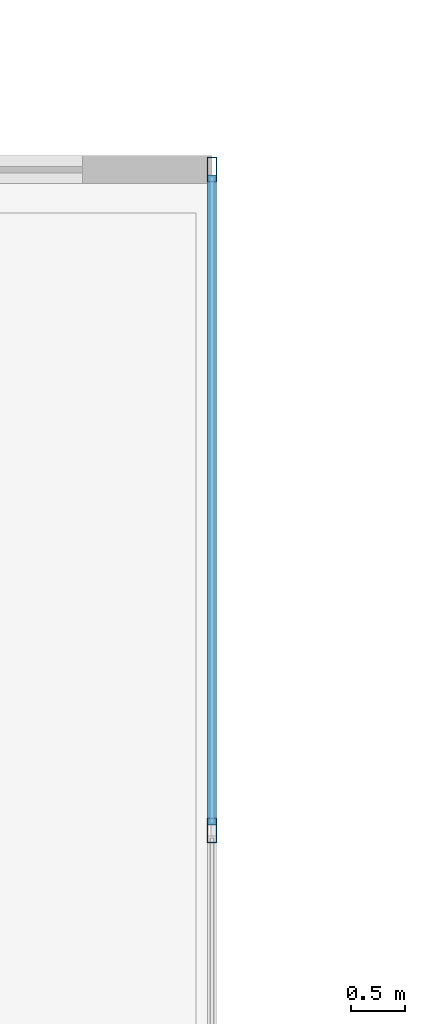
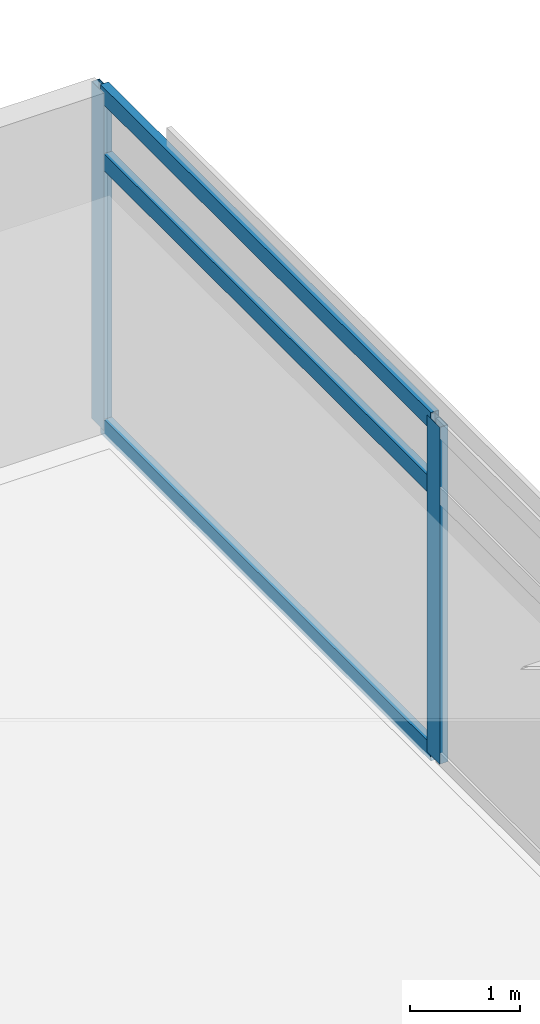
# One storey, part 11 of 20: 5 members, 1 element without a shape of its own.
"""IFC4 building model written with IfcOpenShell, lengths in metres."""

from ifc_helpers import new_model, si_unit, direction, frame, origin, origin_2d, place, context, subcontext, project, spatial, hollow_rectangle, extrude, material, material_profile, profile_set, type_object, element, aggregate, save


model = new_model("IFC4")

# Units and contexts
model_context = context("Model", 3, precision=1e-05, world=origin(), true_north=direction((0.0, 1.0)))
body_context = subcontext(model_context, "Body", "Model", "MODEL_VIEW")
ifc_project = project(units=[si_unit("LENGTHUNIT", "METRE"), si_unit("AREAUNIT", "SQUARE_METRE"), si_unit("VOLUMEUNIT", "CUBIC_METRE"), si_unit("PLANEANGLEUNIT", "RADIAN"), si_unit("MASSUNIT", "GRAM", prefix="KILO")], contexts=[model_context])

# Site, building, storey
site_placement = place(None, origin())
site = spatial("IfcSite", under=ifc_project, at=site_placement, CompositionType="ELEMENT")
building_placement = place(site_placement, origin())
building = spatial("IfcBuilding", under=site, at=building_placement, Name="Kovane Verandah Tower", CompositionType="ELEMENT")
storey_placement = place(building_placement, frame((0.0, 0.0, 322.800048828125)))
storey = spatial("IfcBuildingStorey", under=building, at=storey_placement, Name="L75", CompositionType="ELEMENT", Elevation=322.800048828125)

# Curtain wall, members
ifc_material_1 = material(Name="Champagne Anodised Aluminium Frame with Low-E Clear Laminated Glass", Category="aluminium")
curtain_wall_type = type_object("IfcCurtainWallType", Name="CW-SYS-05-HIGH", PredefinedType="NOTDEFINED", material=ifc_material_1)
curtain_wall_placement = place(storey_placement, origin())
curtain_wall = element("IfcCurtainWall", 1, at=curtain_wall_placement, inside=storey, type_object=curtain_wall_type, Name="L75 E Unitised Curtain Wall", PredefinedType="NOTDEFINED")
ifc_material_2 = material(Name="Champagne Anodised Aluminium 6063-T6", Category="aluminium")
ifc_material_profile_1 = material_profile(ifc_material_2, hollow_rectangle(XDim=0.0849609375, YDim=0.22998046875, WallThickness=0.00390625, at=origin_2d()), Name="AL85x230x4")
ifc_profile_set_1 = profile_set([ifc_material_profile_1], Name="Champagne Anodised Aluminium 6063-T6")
member_type_1 = type_object("IfcMemberType", Name="CW-MUL-85x230", PredefinedType="MULLION", material=ifc_profile_set_1)
member_1_placement = place(storey_placement, frame((64.89990234375, 39.7333984375, 0.02001953125), z_axis=(0.0, 0.0, 1.0), x_axis=(1.0, 0.0, 0.0)))
member_1 = element("IfcMember", 2, at=member_1_placement, type_object=member_type_1, Name="L75 E Unitised Curtain Wall Mullion 6", PredefinedType="MULLION", context=body_context, shape_type="SweptSolid", body=[
    extrude(hollow_rectangle(XDim=0.0849609375, YDim=0.22998046875, WallThickness=0.00390625, at=origin_2d()), origin(), (0.0, 0.0, 1.0), 3.744873046875),
])
member_2_placement = place(storey_placement, frame((64.89990234375, 45.85009765625, 0.02001953125), z_axis=(0.0, 0.0, 1.0), x_axis=(1.0, 0.0, 0.0)))
member_2 = element("IfcMember", 3, at=member_2_placement, type_object=member_type_1, Name="L75 E Unitised Curtain Wall Mullion 7", PredefinedType="MULLION", context=body_context, shape_type="SweptSolid", body=[
    extrude(hollow_rectangle(XDim=0.0849609375, YDim=0.22998046875, WallThickness=0.00390625, at=origin_2d()), origin(), (0.0, 0.0, 1.0), 3.744873046875),
])
ifc_material_profile_2 = material_profile(ifc_material_2, hollow_rectangle(XDim=0.0849609375, YDim=0.18994140625, WallThickness=0.00390625, at=origin_2d()), Name="AL85x190x4")
ifc_profile_set_2 = profile_set([ifc_material_profile_2], Name="Champagne Anodised Aluminium 6063-T6")
member_type_2 = type_object("IfcMemberType", Name="CW-TRN-85x190", PredefinedType="USERDEFINED", material=ifc_profile_set_2)
member_3_placement = place(storey_placement, frame((64.89990234375, 39.783203125, 0.050048828125), z_axis=(0.0, 1.0, 0.0), x_axis=(-1.0, 0.0, 0.0)))
member_3 = element("IfcMember", 4, at=member_3_placement, type_object=member_type_2, Name="L75 E Unitised Curtain Wall Transom TB Bay 6", ObjectType="TRANSOM", PredefinedType="USERDEFINED", context=body_context, shape_type="SweptSolid", body=[
    extrude(hollow_rectangle(XDim=0.0849609375, YDim=0.18994140625, WallThickness=0.00390625, at=origin_2d()), origin(), (0.0, 0.0, 1.0), 6.016845703125),
])
member_4_placement = place(storey_placement, frame((64.89990234375, 39.783203125, 3.0048828125), z_axis=(0.0, 1.0, 0.0), x_axis=(-1.0, 0.0, 0.0)))
member_4 = element("IfcMember", 5, at=member_4_placement, type_object=member_type_2, Name="L75 E Unitised Curtain Wall Transom TM Bay 6", ObjectType="TRANSOM", PredefinedType="USERDEFINED", context=body_context, shape_type="SweptSolid", body=[
    extrude(hollow_rectangle(XDim=0.0849609375, YDim=0.18994140625, WallThickness=0.00390625, at=origin_2d()), origin(), (0.0, 0.0, 1.0), 6.016845703125),
])
member_5_placement = place(storey_placement, frame((64.89990234375, 39.783203125, 3.73486328125), z_axis=(0.0, 1.0, 0.0), x_axis=(-1.0, 0.0, 0.0)))
member_5 = element("IfcMember", 6, at=member_5_placement, type_object=member_type_2, Name="L75 E Unitised Curtain Wall Transom TT Bay 6", ObjectType="TRANSOM", PredefinedType="USERDEFINED", context=body_context, shape_type="SweptSolid", body=[
    extrude(hollow_rectangle(XDim=0.0849609375, YDim=0.18994140625, WallThickness=0.00390625, at=origin_2d()), origin(), (0.0, 0.0, 1.0), 6.016845703125),
])
aggregate(curtain_wall, [member_1, member_2, member_3, member_4, member_5])

save(model, "model.ifc")
